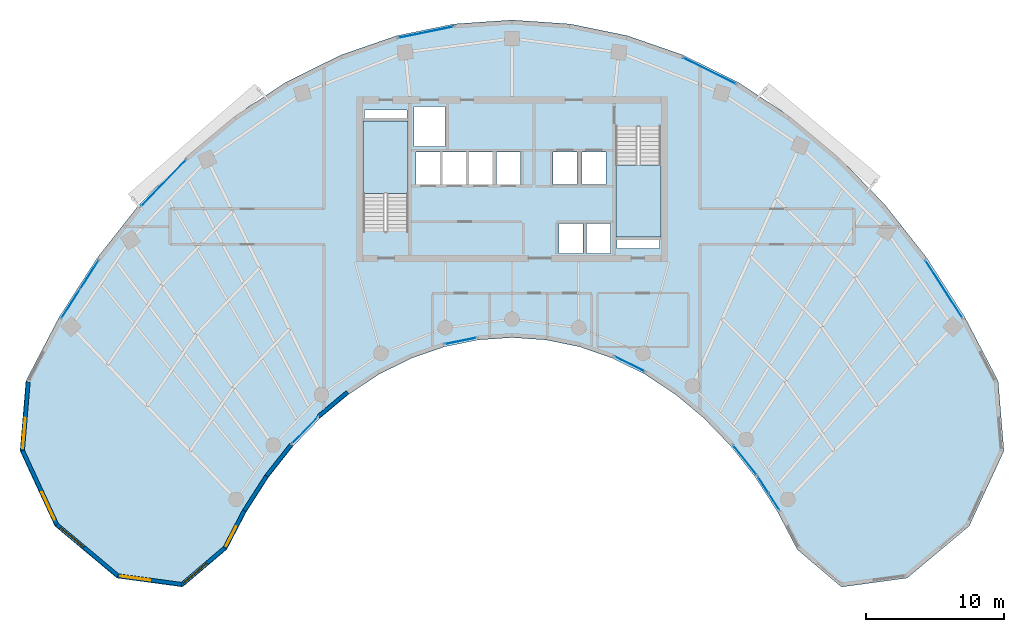
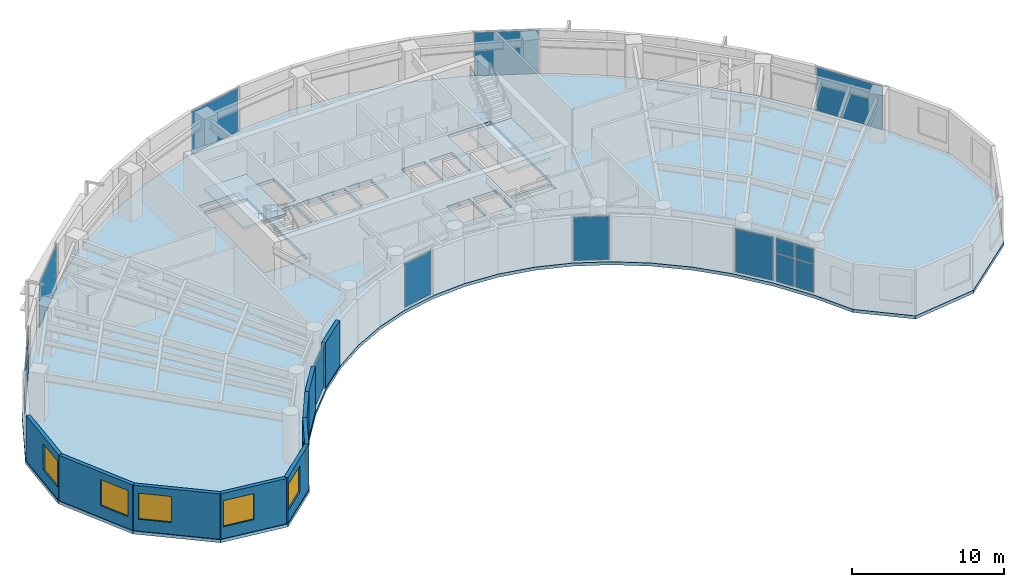
# One storey, part 7 of 13: 16 plates, 9 walls, 6 windows, 3 slabs, 6 openings, 12 elements without a shape of their own.
"""IFC4 building model written with IfcOpenShell, lengths in metres."""

from ifc_helpers import new_model, si_unit, direction, frame, frame_2d, origin, origin_2d, place, context, subcontext, project, spatial, polyline, rectangle, outline, extrude, source, transform, mapped, material, layer, layer_set, type_object, type_shapes, element, fill, aggregate, save


model = new_model("IFC4")

# Units and contexts
model_context = context("Model", 3, precision=1e-05, world=origin(), true_north=direction((0.0, 1.0)))
body_context = subcontext(model_context, "Body", "Model", "MODEL_VIEW")
ifc_project = project(units=[si_unit("LENGTHUNIT", "METRE"), si_unit("AREAUNIT", "SQUARE_METRE"), si_unit("VOLUMEUNIT", "CUBIC_METRE"), si_unit("PLANEANGLEUNIT", "RADIAN"), si_unit("MASSUNIT", "GRAM", prefix="KILO")], contexts=[model_context])

# Site, building, storey
site_placement = place(None, origin())
site = spatial("IfcSite", under=ifc_project, at=site_placement, CompositionType="ELEMENT")
building_placement = place(site_placement, origin())
building = spatial("IfcBuilding", under=site, at=building_placement, Name="Breltana Convention Tower", CompositionType="ELEMENT")
storey_placement = place(building_placement, frame((0.0, 0.0, 162.300048828125)))
storey = spatial("IfcBuildingStorey", under=building, at=storey_placement, Name="L39", CompositionType="ELEMENT", Elevation=162.300048828125)

# Slab
ifc_material_1 = material(Name="Concrete C40/50", Category="concrete")
ifc_layer_1 = layer(ifc_material_1, 0.25, Name="Concrete C40/50")
ifc_layer_set_1 = layer_set([ifc_layer_1], Name="Concrete C40/50")
slab_type_1 = type_object("IfcSlabType", Name="SL-OFF-250", PredefinedType="FLOOR", material=ifc_layer_set_1)
slab_1_placement = place(storey_placement, frame((0.0, 0.0, -0.25)))
element("IfcSlab", 1, at=slab_1_placement, inside=storey, type_object=slab_type_1, Name="L39 Suspended Structural Floor Slab", PredefinedType="FLOOR", context=body_context, shape_type="SweptSolid", body=[
    extrude(outline(polyline([(83.27880859375, 51.539794921875), (80.870361328125, 56.166015625), (78.12548828125, 60.442138671875), (75.072265625, 64.32470703125), (71.74169921875, 67.774169921875), (68.168212890625, 70.7548828125), (64.387939453125, 73.236328125), (60.440185546875, 75.193115234375), (56.36474609375, 76.60546875), (52.203857421875, 77.45849609375), (48.0, 77.743896484375), (43.796142578125, 77.45849609375), (39.63525390625, 76.60546875), (35.559814453125, 75.193115234375), (31.612060546875, 73.236328125), (27.831787109375, 70.7548828125), (24.25830078125, 67.774169921875), (20.927734375, 64.32470703125), (17.87451171875, 60.442138671875), (15.129638671875, 56.166015625), (12.72119140625, 51.539794921875), (12.298095703125, 46.4794921875), (14.822509765625, 41.019287109375), (19.329833984375, 37.2451171875), (24.098876953125, 36.598388671875), (27.3076171875, 39.326171875), (28.72021484375, 42.03955078125), (30.330078125, 44.5478515625), (32.12109375, 46.8251953125), (34.07470703125, 48.848388671875), (36.170654296875, 50.5966796875), (38.3876953125, 52.052001953125), (40.703369140625, 53.19970703125), (43.09375, 54.0283203125), (45.5341796875, 54.528564453125), (48.0, 54.696044921875), (50.4658203125, 54.528564453125), (52.90625, 54.0283203125), (55.296630859375, 53.19970703125), (57.6123046875, 52.052001953125), (59.829345703125, 50.5966796875), (61.92529296875, 48.848388671875), (63.87890625, 46.8251953125), (65.669921875, 44.5478515625), (67.27978515625, 42.03955078125), (68.6923828125, 39.326171875), (71.901123046875, 36.598388671875), (76.670166015625, 37.2451171875), (81.177490234375, 41.019287109375), (83.701904296875, 46.4794921875), (83.27880859375, 51.539794921875)]), holes=[polyline([(37.199951171875, 62.385009765625), (40.469970703125, 62.385009765625), (40.469970703125, 70.39990234375), (37.199951171875, 70.39990234375), (37.199951171875, 62.385009765625)]), polyline([(55.530029296875, 62.0), (58.800048828125, 62.0), (58.800048828125, 70.014892578125), (55.530029296875, 70.014892578125), (55.530029296875, 62.0)]), polyline([(51.39990234375, 60.800048828125), (53.159912109375, 60.800048828125), (53.159912109375, 62.97998046875), (51.39990234375, 62.97998046875), (51.39990234375, 60.800048828125)]), polyline([(53.39990234375, 60.800048828125), (55.159912109375, 60.800048828125), (55.159912109375, 62.97998046875), (53.39990234375, 62.97998046875), (53.39990234375, 60.800048828125)]), polyline([(41.0400390625, 65.820068359375), (42.800048828125, 65.820068359375), (42.800048828125, 68.179931640625), (41.0400390625, 68.179931640625), (41.0400390625, 65.820068359375)]), polyline([(42.93994140625, 65.820068359375), (44.699951171875, 65.820068359375), (44.699951171875, 68.179931640625), (42.93994140625, 68.179931640625), (42.93994140625, 65.820068359375)]), polyline([(44.8701171875, 65.820068359375), (46.6298828125, 65.820068359375), (46.6298828125, 68.179931640625), (44.8701171875, 68.179931640625), (44.8701171875, 65.820068359375)]), polyline([(46.8701171875, 65.820068359375), (48.6298828125, 65.820068359375), (48.6298828125, 68.179931640625), (46.8701171875, 68.179931640625), (46.8701171875, 65.820068359375)]), polyline([(50.969970703125, 65.800048828125), (52.72998046875, 65.800048828125), (52.72998046875, 68.179931640625), (50.969970703125, 68.179931640625), (50.969970703125, 65.800048828125)]), polyline([(53.070068359375, 65.800048828125), (54.830078125, 65.800048828125), (54.830078125, 68.179931640625), (53.070068359375, 68.179931640625), (53.070068359375, 65.800048828125)]), polyline([(40.8798828125, 68.550048828125), (43.1201171875, 68.550048828125), (43.1201171875, 71.449951171875), (40.8798828125, 71.449951171875), (40.8798828125, 68.550048828125)]), polyline([(37.300048828125, 70.60009765625), (40.3798828125, 70.60009765625), (40.3798828125, 71.219970703125), (37.300048828125, 71.219970703125), (37.300048828125, 70.60009765625)]), polyline([(55.6201171875, 61.179931640625), (58.699951171875, 61.179931640625), (58.699951171875, 61.800048828125), (55.6201171875, 61.800048828125), (55.6201171875, 61.179931640625)])]), origin(), (0.0, 0.0, 1.0), 0.25),
])

# Stair, slab
stair_type = type_object("IfcStairType", Name="ST-DOG-1560-R177", PredefinedType="HALF_TURN_STAIR", material=ifc_material_1)
stair_1_placement = place(storey_placement, origin())
stair_1 = element("IfcStair", 2, at=stair_1_placement, inside=storey, type_object=stair_type, Name="L39 Protected Core Exit Stair ST-1", PredefinedType="HALF_TURN_STAIR")
ifc_layer_2 = layer(ifc_material_1, 0.199951171875, Name="Concrete C40/50")
ifc_layer_set_2 = layer_set([ifc_layer_2], Name="Concrete C40/50")
slab_type_2 = type_object("IfcSlabType", Name="SL-STAIR-LANDING-200", PredefinedType="LANDING", material=ifc_layer_set_2)
slab_2_placement = place(storey_placement, frame((0.0, 0.0, 1.75)))
slab_2 = element("IfcSlab", 3, at=slab_2_placement, type_object=slab_type_2, Name="ST-1 landing 1", PredefinedType="LANDING", context=body_context, shape_type="SweptSolid", body=[
    extrude(outline(polyline([(40.469970703125, 65.159912109375), (40.469970703125, 70.39990234375), (37.199951171875, 70.39990234375), (37.199951171875, 65.159912109375), (40.469970703125, 65.159912109375)])), origin(), (0.0, 0.0, 1.0), 0.199951171875),
])
aggregate(stair_1, [slab_2])

stair_2_placement = place(storey_placement, origin())
stair_2 = element("IfcStair", 4, at=stair_2_placement, inside=storey, type_object=stair_type, Name="L39 Protected Core Exit Stair ST-2", PredefinedType="HALF_TURN_STAIR")
slab_3_placement = place(storey_placement, frame((0.0, 0.0, 1.75)))
slab_3 = element("IfcSlab", 5, at=slab_3_placement, type_object=slab_type_2, Name="ST-2 landing 1", PredefinedType="LANDING", context=body_context, shape_type="SweptSolid", body=[
    extrude(outline(polyline([(55.530029296875, 67.239990234375), (55.530029296875, 62.0), (58.800048828125, 62.0), (58.800048828125, 67.239990234375), (55.530029296875, 67.239990234375)])), origin(), (0.0, 0.0, 1.0), 0.199951171875),
])
aggregate(stair_2, [slab_3])

# Curtain wall, plates
ifc_material_2 = material(Name="Aluminium Anodised Bronze Frame", Category="aluminium")
ifc_layer_3 = layer(ifc_material_2, 0.18994140625, Name="Aluminium Anodised Bronze Frame")
ifc_layer_set_3 = layer_set([ifc_layer_3], Name="Aluminium Anodised Bronze Frame")
curtain_wall_type_1 = type_object("IfcCurtainWallType", Name="CW-SYS-1", PredefinedType="NOTDEFINED", material=ifc_layer_set_3)
curtain_wall_1_placement = place(storey_placement, origin())
curtain_wall_1 = element("IfcCurtainWall", 6, at=curtain_wall_1_placement, inside=storey, type_object=curtain_wall_type_1, Name="L39 inner south-court glazing 1", PredefinedType="NOTDEFINED")
ifc_material_3 = material(Name="Glass Low-E Double Glazing", Category="glass")
ifc_layer_4 = layer(ifc_material_3, 0.028076171875, Name="Glass Low-E Double Glazing")
ifc_layer_set_4 = layer_set([ifc_layer_4], Name="Glass Low-E Double Glazing")
plate_type = type_object("IfcPlateType", Name="CWP-IGU-28", PredefinedType="CURTAIN_PANEL", material=ifc_layer_set_4)
shared_shape_1 = source(origin(), body_context, "Body", "SweptSolid", [
    extrude(rectangle(XDim=1.3701171875, YDim=0.028076171875, at=origin_2d()), origin(), (0.0, 0.0, 1.0), 2.25244140625),
])
plate_1_placement = place(storey_placement, frame((67.01806640625, 42.78076171875, 0.080078125), z_axis=(0.0, 0.0, 1.0), x_axis=(-0.540184298954, 0.841546744491, 0.0)))
plate_1 = element("IfcPlate", 7, at=plate_1_placement, type_object=plate_type, Name="CW-01 panel 1.1", PredefinedType="CURTAIN_PANEL", context=body_context, shape_type="MappedRepresentation", body=[
    mapped(shared_shape_1, transform((0.0, 0.0, 0.0), scale=1.0)),
])
plate_2_placement = place(storey_placement, frame((66.234619140625, 44.001220703125, 0.080078125), z_axis=(0.0, 0.0, 1.0), x_axis=(-0.540184298954, 0.841546744491, 0.0)))
plate_2 = element("IfcPlate", 8, at=plate_2_placement, type_object=plate_type, Name="CW-01 panel 2.1", PredefinedType="CURTAIN_PANEL", context=body_context, shape_type="MappedRepresentation", body=[
    mapped(shared_shape_1, transform((0.0, 0.0, 0.0), scale=1.0)),
])
shared_shape_2 = source(origin(), body_context, "Body", "SweptSolid", [
    extrude(rectangle(XDim=1.3701171875, YDim=0.028076171875, at=origin_2d()), origin(), (0.0, 0.0, 1.0), 1.157470703125),
])
plate_3_placement = place(storey_placement, frame((67.01806640625, 42.78076171875, 2.41259765625), z_axis=(0.0, 0.0, 1.0), x_axis=(-0.540184298954, 0.841546744491, 0.0)))
plate_3 = element("IfcPlate", 9, at=plate_3_placement, type_object=plate_type, Name="CW-01 panel 1.2", PredefinedType="CURTAIN_PANEL", context=body_context, shape_type="MappedRepresentation", body=[
    mapped(shared_shape_2, transform((0.0, 0.0, 0.0), scale=1.0)),
])
plate_4_placement = place(storey_placement, frame((66.234619140625, 44.001220703125, 2.41259765625), z_axis=(0.0, 0.0, 1.0), x_axis=(-0.540184298954, 0.841546744491, 0.0)))
plate_4 = element("IfcPlate", 10, at=plate_4_placement, type_object=plate_type, Name="CW-01 panel 2.2", PredefinedType="CURTAIN_PANEL", context=body_context, shape_type="MappedRepresentation", body=[
    mapped(shared_shape_2, transform((0.0, 0.0, 0.0), scale=1.0)),
])
aggregate(curtain_wall_1, [plate_1, plate_3, plate_2, plate_4])

# Curtain wall, plate
curtain_wall_2_placement = place(storey_placement, origin())
curtain_wall_2 = element("IfcCurtainWall", 11, at=curtain_wall_2_placement, inside=storey, type_object=curtain_wall_type_1, Name="L39 inner south-court glazing 2", PredefinedType="NOTDEFINED")
shared_shape_3 = source(origin(), body_context, "Body", "SweptSolid", [
    extrude(rectangle(XDim=2.737060546875, YDim=0.028076171875, at=origin_2d()), origin(), (0.0, 0.0, 1.0), 3.489990234375),
])
plate_5_placement = place(storey_placement, frame((64.915771484375, 45.7978515625, 0.080078125), z_axis=(0.0, 0.0, 1.0), x_axis=(-0.618161435717, 0.786051168431, 0.0)))
plate_5 = element("IfcPlate", 12, at=plate_5_placement, type_object=plate_type, Name="CW-01 panel 1.1", PredefinedType="CURTAIN_PANEL", context=body_context, shape_type="MappedRepresentation", body=[
    mapped(shared_shape_3, transform((0.0, 0.0, 0.0), scale=1.0)),
])
aggregate(curtain_wall_2, [plate_5])

# Curtain wall, plates
ifc_layer_5 = layer(ifc_material_2, 0.2099609375, Name="Aluminium Anodised Bronze Frame")
ifc_layer_set_5 = layer_set([ifc_layer_5], Name="Aluminium Anodised Bronze Frame")
curtain_wall_type_2 = type_object("IfcCurtainWallType", Name="CW-SYS-3", PredefinedType="NOTDEFINED", material=ifc_layer_set_5)
curtain_wall_3_placement = place(storey_placement, origin())
curtain_wall_3 = element("IfcCurtainWall", 13, at=curtain_wall_3_placement, inside=storey, type_object=curtain_wall_type_2, Name="L39 outer double-skin inner glazing 1", PredefinedType="NOTDEFINED")
shared_shape_4 = source(origin(), body_context, "Body", "SweptSolid", [
    extrude(rectangle(XDim=2.42724609375, YDim=0.028076171875, at=origin_2d()), origin(), (0.0, 0.0, 1.0), 2.25244140625),
])
plate_6_placement = place(storey_placement, frame((15.97900390625, 57.15576171875, 0.080078125), z_axis=(0.0, 0.0, 1.0), x_axis=(0.54017267843, 0.841554203529, 0.0)))
plate_6 = element("IfcPlate", 14, at=plate_6_placement, type_object=plate_type, Name="CW-03 panel 1.1", PredefinedType="CURTAIN_PANEL", context=body_context, shape_type="MappedRepresentation", body=[
    mapped(shared_shape_4, transform((0.0, 0.0, 0.0), scale=1.0)),
])
plate_7_placement = place(storey_placement, frame((17.327880859375, 59.25732421875, 0.080078125), z_axis=(0.0, 0.0, 1.0), x_axis=(0.54017267843, 0.841554203529, 0.0)))
plate_7 = element("IfcPlate", 15, at=plate_7_placement, type_object=plate_type, Name="CW-03 panel 2.1", PredefinedType="CURTAIN_PANEL", context=body_context, shape_type="MappedRepresentation", body=[
    mapped(shared_shape_4, transform((0.0, 0.0, 0.0), scale=1.0)),
])
shared_shape_5 = source(origin(), body_context, "Body", "SweptSolid", [
    extrude(rectangle(XDim=2.42724609375, YDim=0.028076171875, at=origin_2d()), origin(), (0.0, 0.0, 1.0), 1.157470703125),
])
plate_8_placement = place(storey_placement, frame((15.97900390625, 57.15576171875, 2.41259765625), z_axis=(0.0, 0.0, 1.0), x_axis=(0.54017267843, 0.841554203529, 0.0)))
plate_8 = element("IfcPlate", 16, at=plate_8_placement, type_object=plate_type, Name="CW-03 panel 1.2", PredefinedType="CURTAIN_PANEL", context=body_context, shape_type="MappedRepresentation", body=[
    mapped(shared_shape_5, transform((0.0, 0.0, 0.0), scale=1.0)),
])
plate_9_placement = place(storey_placement, frame((17.327880859375, 59.25732421875, 2.41259765625), z_axis=(0.0, 0.0, 1.0), x_axis=(0.54017267843, 0.841554203529, 0.0)))
plate_9 = element("IfcPlate", 17, at=plate_9_placement, type_object=plate_type, Name="CW-03 panel 2.2", PredefinedType="CURTAIN_PANEL", context=body_context, shape_type="MappedRepresentation", body=[
    mapped(shared_shape_5, transform((0.0, 0.0, 0.0), scale=1.0)),
])
aggregate(curtain_wall_3, [plate_6, plate_8, plate_7, plate_9])

# Curtain wall, plate
curtain_wall_4_placement = place(storey_placement, origin())
curtain_wall_4 = element("IfcCurtainWall", 18, at=curtain_wall_4_placement, inside=storey, type_object=curtain_wall_type_2, Name="L39 outer double-skin inner glazing 4", PredefinedType="NOTDEFINED")
shared_shape_6 = source(origin(), body_context, "Body", "SweptSolid", [
    extrude(rectangle(XDim=4.243896484375, YDim=0.028076171875, at=origin_2d()), origin(), (0.0, 0.0, 1.0), 3.489990234375),
])
plate_10_placement = place(storey_placement, frame((62.334228515625, 74.053466796875, 0.080078125), z_axis=(0.0, 0.0, 1.0), x_axis=(0.895968385619, -0.444117835682, 0.0)))
plate_10 = element("IfcPlate", 19, at=plate_10_placement, type_object=plate_type, Name="CW-03 panel 1.1", PredefinedType="CURTAIN_PANEL", context=body_context, shape_type="MappedRepresentation", body=[
    mapped(shared_shape_6, transform((0.0, 0.0, 0.0), scale=1.0)),
])
aggregate(curtain_wall_4, [plate_10])

curtain_wall_5_placement = place(storey_placement, origin())
curtain_wall_5 = element("IfcCurtainWall", 20, at=curtain_wall_5_placement, inside=storey, type_object=curtain_wall_type_2, Name="L39 outer double-skin inner glazing 3", PredefinedType="NOTDEFINED")
shared_shape_7 = source(origin(), body_context, "Body", "SweptSolid", [
    extrude(rectangle(XDim=4.08349609375, YDim=0.028076171875, at=origin_2d()), origin(), (0.0, 0.0, 1.0), 3.489990234375),
])
plate_11_placement = place(storey_placement, frame((41.751708984375, 76.855712890625, 0.080078125), z_axis=(0.0, 0.0, 1.0), x_axis=(0.979616560993, 0.200876562668, 0.0)))
plate_11 = element("IfcPlate", 21, at=plate_11_placement, type_object=plate_type, Name="CW-03 panel 1.1", PredefinedType="CURTAIN_PANEL", context=body_context, shape_type="MappedRepresentation", body=[
    mapped(shared_shape_7, transform((0.0, 0.0, 0.0), scale=1.0)),
])
aggregate(curtain_wall_5, [plate_11])

curtain_wall_6_placement = place(storey_placement, origin())
curtain_wall_6 = element("IfcCurtainWall", 22, at=curtain_wall_6_placement, inside=storey, type_object=curtain_wall_type_2, Name="L39 outer double-skin inner glazing 2", PredefinedType="NOTDEFINED")
shared_shape_8 = source(origin(), body_context, "Body", "SweptSolid", [
    extrude(rectangle(XDim=4.635986328125, YDim=0.028076171875, at=origin_2d()), origin(), (0.0, 0.0, 1.0), 3.489990234375),
])
plate_12_placement = place(storey_placement, frame((22.722412109375, 65.92431640625, 0.080078125), z_axis=(0.0, 0.0, 1.0), x_axis=(0.694602734297, 0.719393523398, 0.0)))
plate_12 = element("IfcPlate", 23, at=plate_12_placement, type_object=plate_type, Name="CW-03 panel 1.1", PredefinedType="CURTAIN_PANEL", context=body_context, shape_type="MappedRepresentation", body=[
    mapped(shared_shape_8, transform((0.0, 0.0, 0.0), scale=1.0)),
])
aggregate(curtain_wall_6, [plate_12])

curtain_wall_7_placement = place(storey_placement, origin())
curtain_wall_7 = element("IfcCurtainWall", 24, at=curtain_wall_7_placement, inside=storey, type_object=curtain_wall_type_1, Name="L39 inner south-court glazing 3", PredefinedType="NOTDEFINED")
shared_shape_9 = source(origin(), body_context, "Body", "SweptSolid", [
    extrude(rectangle(XDim=2.424560546875, YDim=0.028076171875, at=origin_2d()), origin(), (0.0, 0.0, 1.0), 3.489990234375),
])
plate_13_placement = place(storey_placement, frame((56.5341796875, 52.787109375, 0.080078125), z_axis=(0.0, 0.0, 1.0), x_axis=(-0.895969545082, 0.444115496562, 0.0)))
plate_13 = element("IfcPlate", 25, at=plate_13_placement, type_object=plate_type, Name="CW-01 panel 1.1", PredefinedType="CURTAIN_PANEL", context=body_context, shape_type="MappedRepresentation", body=[
    mapped(shared_shape_9, transform((0.0, 0.0, 0.0), scale=1.0)),
])
aggregate(curtain_wall_7, [plate_13])

curtain_wall_8_placement = place(storey_placement, origin())
curtain_wall_8 = element("IfcCurtainWall", 26, at=curtain_wall_8_placement, inside=storey, type_object=curtain_wall_type_1, Name="L39 inner south-court glazing 4", PredefinedType="NOTDEFINED")
shared_shape_10 = source(origin(), body_context, "Body", "SweptSolid", [
    extrude(rectangle(XDim=2.331298828125, YDim=0.028076171875, at=origin_2d()), origin(), (0.0, 0.0, 1.0), 3.489990234375),
])
plate_14_placement = place(storey_placement, frame((44.27783203125, 54.45458984375, 0.080078125), z_axis=(0.0, 0.0, 1.0), x_axis=(-0.979619715529, -0.200861178299, 0.0)))
plate_14 = element("IfcPlate", 27, at=plate_14_placement, type_object=plate_type, Name="CW-01 panel 1.1", PredefinedType="CURTAIN_PANEL", context=body_context, shape_type="MappedRepresentation", body=[
    mapped(shared_shape_10, transform((0.0, 0.0, 0.0), scale=1.0)),
])
aggregate(curtain_wall_8, [plate_14])

curtain_wall_9_placement = place(storey_placement, origin())
curtain_wall_9 = element("IfcCurtainWall", 28, at=curtain_wall_9_placement, inside=storey, type_object=curtain_wall_type_1, Name="L39 inner south-court glazing 5", PredefinedType="NOTDEFINED")
shared_shape_11 = source(origin(), body_context, "Body", "SweptSolid", [
    extrude(rectangle(XDim=2.65234375, YDim=0.028076171875, at=origin_2d()), origin(), (0.0, 0.0, 1.0), 3.489990234375),
])
plate_15_placement = place(storey_placement, frame((32.96826171875, 47.961669921875, 0.080078125), z_axis=(0.0, 0.0, 1.0), x_axis=(-0.694606570168, -0.719389819694, 0.0)))
plate_15 = element("IfcPlate", 29, at=plate_15_placement, type_object=plate_type, Name="CW-01 panel 1.1", PredefinedType="CURTAIN_PANEL", context=body_context, shape_type="MappedRepresentation", body=[
    mapped(shared_shape_11, transform((0.0, 0.0, 0.0), scale=1.0)),
])
aggregate(curtain_wall_9, [plate_15])

curtain_wall_10_placement = place(storey_placement, origin())
curtain_wall_10 = element("IfcCurtainWall", 30, at=curtain_wall_10_placement, inside=storey, type_object=curtain_wall_type_2, Name="L39 outer double-skin inner glazing 5", PredefinedType="NOTDEFINED")
shared_shape_12 = source(origin(), body_context, "Body", "SweptSolid", [
    extrude(rectangle(XDim=4.924560546875, YDim=0.028076171875, at=origin_2d()), origin(), (0.0, 0.0, 1.0), 3.489990234375),
])
plate_16_placement = place(storey_placement, frame((79.3466796875, 58.20654296875, 0.080078125), z_axis=(0.0, 0.0, 1.0), x_axis=(0.54017267843, -0.841554203529, 0.0)))
plate_16 = element("IfcPlate", 31, at=plate_16_placement, type_object=plate_type, Name="CW-03 panel 1.1", PredefinedType="CURTAIN_PANEL", context=body_context, shape_type="MappedRepresentation", body=[
    mapped(shared_shape_12, transform((0.0, 0.0, 0.0), scale=1.0)),
])
aggregate(curtain_wall_10, [plate_16])

# Wall, opening, window
ifc_material_4 = material(Name="Limestone Buff Insulated Wall", Category="masonry")
ifc_layer_6 = layer(ifc_material_4, 0.280029296875, Name="Limestone Buff Insulated Wall")
ifc_layer_set_6 = layer_set([ifc_layer_6], Name="Limestone Buff Insulated Wall")
wall_type = type_object("IfcWallType", Name="WL-EXT-NOSE-280", PredefinedType="SOLIDWALL", material=ifc_layer_set_6)
shared_shape_13 = source(origin(), body_context, "Body", "SweptSolid", [
    extrude(rectangle(XDim=4.994384765625, YDim=0.280029296875, at=frame_2d((2.4970703125, 0.0))), origin(), (0.0, 0.0, 1.0), 3.64990234375),
])
wall_1_placement = place(storey_placement, frame((12.4814453125, 46.51171875, 0.0), z_axis=(0.0, 0.0, 1.0), x_axis=(0.083344839916, 0.996520766296, 0.0)))
wall_1 = element("IfcWall", 32, at=wall_1_placement, inside=storey, type_object=wall_type, Name="L39 curved limestone nose wall W6", PredefinedType="SOLIDWALL", context=body_context, shape_type="MappedRepresentation", body=[
    mapped(shared_shape_13, transform((0.0, 0.0, 0.0), scale=1.0)),
])
opening_1_placement = place(wall_1_placement, frame((0.159912109375, 0.0, 0.949951171875)))
opening_1 = element("IfcOpeningElement", 33, at=opening_1_placement, cuts=wall_1, Name="Opening W-03", PredefinedType="OPENING", context=body_context, shape_type="SweptSolid", body=[
    extrude(rectangle(XDim=2.199951171875, YDim=2.10009765625, at=frame_2d((1.10009765625, 1.050048828125))), frame((0.0, 0.14990234375, 0.0), z_axis=(0.0, -1.0, 0.0), x_axis=(1.0, 0.0, 0.0)), (0.0, 0.0, 1.0), 0.300048828125),
])
ifc_material_5 = material(Name="Glass Low-E Insulated Window", Category="glass")
window_type_1 = type_object("IfcWindowType", Name="WN-NOSE-2200X2100", PartitioningType="TRIPLE_PANEL_VERTICAL", PredefinedType="WINDOW", material=ifc_material_5)
shared_shape_14 = source(origin(), body_context, "Body", "SweptSolid", [
    extrude(rectangle(XDim=2.199951171875, YDim=2.10009765625, at=frame_2d((1.10009765625, 1.050048828125))), frame((0.0, 0.030029296875, 0.0), z_axis=(0.0, -1.0, 0.0), x_axis=(1.0, 0.0, 0.0)), (0.0, 0.0, 1.0), 0.06005859375),
])
type_shapes(window_type_1, [shared_shape_14])
window_1_placement = place(opening_1_placement, origin())
window_1 = element("IfcWindow", 34, at=window_1_placement, inside=storey, type_object=window_type_1, Name="L39 nose window W6", OverallHeight=2.10009765625, OverallWidth=2.199951171875, PartitioningType="TRIPLE_PANEL_VERTICAL", PredefinedType="WINDOW", context=body_context, shape_type="MappedRepresentation", body=[
    mapped(shared_shape_14, transform((0.0, 0.0, 0.0), scale=1.0)),
])
fill(opening_1, window_1)

shared_shape_15 = source(origin(), body_context, "Body", "SweptSolid", [
    extrude(rectangle(XDim=5.927490234375, YDim=0.280029296875, at=frame_2d((2.9638671875, 0.0))), origin(), (0.0, 0.0, 1.0), 3.64990234375),
])
wall_2_placement = place(storey_placement, frame((14.968994140625, 41.13134765625, 0.0), z_axis=(0.0, 0.0, 1.0), x_axis=(-0.419656204795, 0.907683132914, 0.0)))
wall_2 = element("IfcWall", 35, at=wall_2_placement, inside=storey, type_object=wall_type, Name="L39 curved limestone nose wall W5", PredefinedType="SOLIDWALL", context=body_context, shape_type="MappedRepresentation", body=[
    mapped(shared_shape_15, transform((0.0, 0.0, 0.0), scale=1.0)),
])
opening_2_placement = place(wall_2_placement, frame((0.3818359375, 0.0, 0.949951171875)))
opening_2 = element("IfcOpeningElement", 36, at=opening_2_placement, cuts=wall_2, Name="Opening W-03", PredefinedType="OPENING", context=body_context, shape_type="SweptSolid", body=[
    extrude(rectangle(XDim=2.199951171875, YDim=2.10009765625, at=frame_2d((1.10009765625, 1.050048828125))), frame((0.0, 0.14990234375, 0.0), z_axis=(0.0, -1.0, 0.0), x_axis=(1.0, 0.0, 0.0)), (0.0, 0.0, 1.0), 0.300048828125),
])
window_2_placement = place(opening_2_placement, origin())
window_2 = element("IfcWindow", 37, at=window_2_placement, inside=storey, type_object=window_type_1, Name="L39 nose window W5", OverallHeight=2.10009765625, OverallWidth=2.199951171875, PartitioningType="TRIPLE_PANEL_VERTICAL", PredefinedType="WINDOW", context=body_context, shape_type="MappedRepresentation", body=[
    mapped(shared_shape_14, transform((0.0, 0.0, 0.0), scale=1.0)),
])
fill(opening_2, window_2)

shared_shape_16 = source(origin(), body_context, "Body", "SweptSolid", [
    extrude(rectangle(XDim=5.786376953125, YDim=0.280029296875, at=frame_2d((2.89306640625, 0.0))), origin(), (0.0, 0.0, 1.0), 3.64990234375),
])
wall_3_placement = place(storey_placement, frame((19.405517578125, 37.41650390625, 0.0), z_axis=(0.0, 0.0, 1.0), x_axis=(-0.766711306852, 0.641992034176, 0.0)))
wall_3 = element("IfcWall", 38, at=wall_3_placement, inside=storey, type_object=wall_type, Name="L39 curved limestone nose wall W4", PredefinedType="SOLIDWALL", context=body_context, shape_type="MappedRepresentation", body=[
    mapped(shared_shape_16, transform((0.0, 0.0, 0.0), scale=1.0)),
])
opening_3_placement = place(wall_3_placement, frame((3.239990234375, 0.0, 0.949951171875)))
opening_3 = element("IfcOpeningElement", 39, at=opening_3_placement, cuts=wall_3, Name="Opening W-03", PredefinedType="OPENING", context=body_context, shape_type="SweptSolid", body=[
    extrude(rectangle(XDim=2.199951171875, YDim=2.10009765625, at=frame_2d((1.10009765625, 1.050048828125))), frame((0.0, 0.14990234375, 0.0), z_axis=(0.0, -1.0, 0.0), x_axis=(1.0, 0.0, 0.0)), (0.0, 0.0, 1.0), 0.300048828125),
])
window_3_placement = place(opening_3_placement, origin())
window_3 = element("IfcWindow", 40, at=window_3_placement, inside=storey, type_object=window_type_1, Name="L39 nose window W4", OverallHeight=2.10009765625, OverallWidth=2.199951171875, PartitioningType="TRIPLE_PANEL_VERTICAL", PredefinedType="WINDOW", context=body_context, shape_type="MappedRepresentation", body=[
    mapped(shared_shape_14, transform((0.0, 0.0, 0.0), scale=1.0)),
])
fill(opening_3, window_3)

shared_shape_17 = source(origin(), body_context, "Body", "SweptSolid", [
    extrude(rectangle(XDim=4.680419921875, YDim=0.280029296875, at=frame_2d((2.34033203125, 0.0))), origin(), (0.0, 0.0, 1.0), 3.64990234375),
])
wall_4_placement = place(storey_placement, frame((24.04345703125, 36.78759765625, 0.0), z_axis=(0.0, 0.0, 1.0), x_axis=(-0.990931146435, 0.134370618162, 0.0)))
wall_4 = element("IfcWall", 41, at=wall_4_placement, inside=storey, type_object=wall_type, Name="L39 curved limestone nose wall W3", PredefinedType="SOLIDWALL", context=body_context, shape_type="MappedRepresentation", body=[
    mapped(shared_shape_17, transform((0.0, 0.0, 0.0), scale=1.0)),
])
opening_4_placement = place(wall_4_placement, frame((2.3203125, 0.0, 0.949951171875)))
opening_4 = element("IfcOpeningElement", 42, at=opening_4_placement, cuts=wall_4, Name="Opening W-03", PredefinedType="OPENING", context=body_context, shape_type="SweptSolid", body=[
    extrude(rectangle(XDim=2.199951171875, YDim=2.10009765625, at=frame_2d((1.10009765625, 1.050048828125))), frame((0.0, 0.14990234375, 0.0), z_axis=(0.0, -1.0, 0.0), x_axis=(1.0, 0.0, 0.0)), (0.0, 0.0, 1.0), 0.300048828125),
])
window_4_placement = place(opening_4_placement, origin())
window_4 = element("IfcWindow", 43, at=window_4_placement, inside=storey, type_object=window_type_1, Name="L39 nose window W3", OverallHeight=2.10009765625, OverallWidth=2.199951171875, PartitioningType="TRIPLE_PANEL_VERTICAL", PredefinedType="WINDOW", context=body_context, shape_type="MappedRepresentation", body=[
    mapped(shared_shape_14, transform((0.0, 0.0, 0.0), scale=1.0)),
])
fill(opening_4, window_4)

shared_shape_18 = source(origin(), body_context, "Body", "SweptSolid", [
    extrude(rectangle(XDim=4.095947265625, YDim=0.280029296875, at=frame_2d((2.0478515625, 0.0))), origin(), (0.0, 0.0, 1.0), 3.64990234375),
])
wall_5_placement = place(storey_placement, frame((27.164306640625, 39.4404296875, 0.0), z_axis=(0.0, 0.0, 1.0), x_axis=(-0.761926081737, -0.647663991564, 0.0)))
wall_5 = element("IfcWall", 44, at=wall_5_placement, inside=storey, type_object=wall_type, Name="L39 curved limestone nose wall W2", PredefinedType="SOLIDWALL", context=body_context, shape_type="MappedRepresentation", body=[
    mapped(shared_shape_18, transform((0.0, 0.0, 0.0), scale=1.0)),
])
opening_5_placement = place(wall_5_placement, frame((1.736083984375, 0.0, 0.949951171875)))
opening_5 = element("IfcOpeningElement", 45, at=opening_5_placement, cuts=wall_5, Name="Opening W-03", PredefinedType="OPENING", context=body_context, shape_type="SweptSolid", body=[
    extrude(rectangle(XDim=2.199951171875, YDim=2.10009765625, at=frame_2d((1.10009765625, 1.050048828125))), frame((0.0, 0.14990234375, 0.0), z_axis=(0.0, -1.0, 0.0), x_axis=(1.0, 0.0, 0.0)), (0.0, 0.0, 1.0), 0.300048828125),
])
window_5_placement = place(opening_5_placement, origin())
window_5 = element("IfcWindow", 46, at=window_5_placement, inside=storey, type_object=window_type_1, Name="L39 nose window W2", OverallHeight=2.10009765625, OverallWidth=2.199951171875, PartitioningType="TRIPLE_PANEL_VERTICAL", PredefinedType="WINDOW", context=body_context, shape_type="MappedRepresentation", body=[
    mapped(shared_shape_14, transform((0.0, 0.0, 0.0), scale=1.0)),
])
fill(opening_5, window_5)

shared_shape_19 = source(origin(), body_context, "Body", "SweptSolid", [
    extrude(rectangle(XDim=3.02392578125, YDim=0.280029296875, at=frame_2d((1.511962890625, 0.0))), origin(), (0.0, 0.0, 1.0), 3.64990234375),
])
wall_6_placement = place(storey_placement, frame((28.560546875, 42.122802734375, 0.0), z_axis=(0.0, 0.0, 1.0), x_axis=(-0.461718746531, -0.887026380161, 0.0)))
wall_6 = element("IfcWall", 47, at=wall_6_placement, inside=storey, type_object=wall_type, Name="L39 curved limestone nose wall W1", PredefinedType="SOLIDWALL", context=body_context, shape_type="MappedRepresentation", body=[
    mapped(shared_shape_19, transform((0.0, 0.0, 0.0), scale=1.0)),
])
opening_6_placement = place(wall_6_placement, frame((1.263916015625, 0.0, 0.949951171875)))
opening_6 = element("IfcOpeningElement", 48, at=opening_6_placement, cuts=wall_6, Name="Opening W-04", PredefinedType="OPENING", context=body_context, shape_type="SweptSolid", body=[
    extrude(rectangle(XDim=1.60009765625, YDim=1.89990234375, at=frame_2d((0.800048828125, 0.949951171875))), frame((0.0, 0.14990234375, 0.0), z_axis=(0.0, -1.0, 0.0), x_axis=(1.0, 0.0, 0.0)), (0.0, 0.0, 1.0), 0.300048828125),
])
window_type_2 = type_object("IfcWindowType", Name="WN-NOSE-1600X1900", PartitioningType="SINGLE_PANEL", PredefinedType="WINDOW", material=ifc_material_5)
shared_shape_20 = source(origin(), body_context, "Body", "SweptSolid", [
    extrude(rectangle(XDim=1.60009765625, YDim=1.89990234375, at=frame_2d((0.800048828125, 0.949951171875))), frame((0.0, 0.030029296875, 0.0), z_axis=(0.0, -1.0, 0.0), x_axis=(1.0, 0.0, 0.0)), (0.0, 0.0, 1.0), 0.06005859375),
])
type_shapes(window_type_2, [shared_shape_20])
window_6_placement = place(opening_6_placement, origin())
window_6 = element("IfcWindow", 49, at=window_6_placement, inside=storey, type_object=window_type_2, Name="L39 nose window W1", OverallHeight=1.89990234375, OverallWidth=1.60009765625, PartitioningType="SINGLE_PANEL", PredefinedType="WINDOW", context=body_context, shape_type="MappedRepresentation", body=[
    mapped(shared_shape_20, transform((0.0, 0.0, 0.0), scale=1.0)),
])
fill(opening_6, window_6)

# Walls
shared_shape_21 = source(origin(), body_context, "Body", "SweptSolid", [
    extrude(rectangle(XDim=2.7294921875, YDim=0.280029296875, at=frame_2d((1.36474609375, 0.0))), origin(), (0.0, 0.0, 1.0), 3.64990234375),
])
wall_7_placement = place(storey_placement, frame((36.055419921875, 50.73486328125, 0.0), z_axis=(0.0, 0.0, 1.0), x_axis=(-0.767957284255, -0.640501061326, 0.0)))
element("IfcWall", 50, at=wall_7_placement, inside=storey, type_object=wall_type, Name="L39 curved limestone nose wall E17", PredefinedType="SOLIDWALL", context=body_context, shape_type="MappedRepresentation", body=[
    mapped(shared_shape_21, transform((0.0, 0.0, 0.0), scale=1.0)),
])
shared_shape_22 = source(origin(), body_context, "Body", "SweptSolid", [
    extrude(rectangle(XDim=2.89697265625, YDim=0.280029296875, at=frame_2d((1.448486328125, 0.0))), origin(), (0.0, 0.0, 1.0), 3.64990234375),
])
wall_8_placement = place(storey_placement, frame((31.9794921875, 46.936279296875, 0.0), z_axis=(0.0, 0.0, 1.0), x_axis=(-0.618167636915, -0.786046291685, 0.0)))
element("IfcWall", 51, at=wall_8_placement, inside=storey, type_object=wall_type, Name="L39 curved limestone nose wall E18", PredefinedType="SOLIDWALL", context=body_context, shape_type="MappedRepresentation", body=[
    mapped(shared_shape_22, transform((0.0, 0.0, 0.0), scale=1.0)),
])
shared_shape_23 = source(origin(), body_context, "Body", "SweptSolid", [
    extrude(rectangle(XDim=2.980712890625, YDim=0.280029296875, at=frame_2d((1.490234375, 0.0))), origin(), (0.0, 0.0, 1.0), 3.64990234375),
])
wall_9_placement = place(storey_placement, frame((30.1787109375, 44.64501953125, 0.0), z_axis=(0.0, 0.0, 1.0), x_axis=(-0.540194451908, -0.841540227278, 0.0)))
element("IfcWall", 52, at=wall_9_placement, inside=storey, type_object=wall_type, Name="L39 curved limestone nose wall E19", PredefinedType="SOLIDWALL", context=body_context, shape_type="MappedRepresentation", body=[
    mapped(shared_shape_23, transform((0.0, 0.0, 0.0), scale=1.0)),
])

save(model, "model.ifc")
